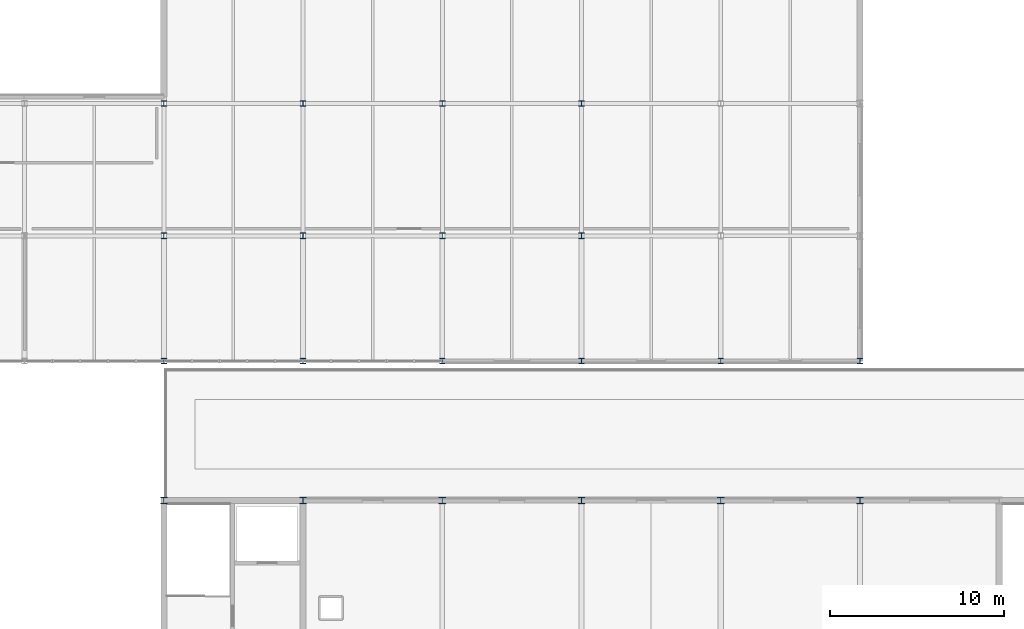
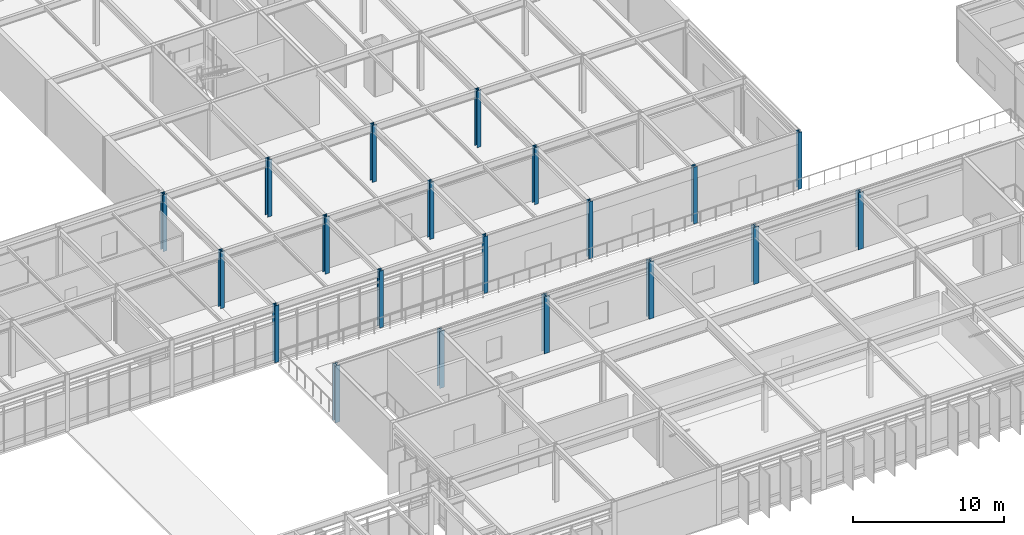
# One storey, part 9 of 100: 20 columns.
"""IFC4 building model written with IfcOpenShell, lengths in metres."""

import ifcopenshell
import ifcopenshell.guid

model = None  # the IFC model being written
_history = None  # IfcOwnerHistory: only IFC2X3 demands one
_inside = {}  # id of a spatial element -> (the spatial element, [elements in it])
_under = {}  # id of a project, library or spatial element -> (it, [spatial elements below it])
_declared = {}  # id of a project -> (the project, [libraries it declares])
_typed = {}  # id of a type object -> (the type object, [elements of that type])
_made_of = {}  # id of a material, layer set ... -> (it, [elements and type objects made of it])


def new_model(schema):
    """Start an empty IFC model of exactly this schema.

    Asked for "IFC4X3", IfcOpenShell would pick the latest addendum, in which some entities
    have other attributes; the version numbers below select the first issue.
    IFC2X3 requires an IfcOwnerHistory on every rooted entity: one is made here for all.
    """
    global model, _history
    if schema == "IFC4X3":
        model = ifcopenshell.file(schema_version=(4, 3, 0, 0))
    else:
        model = ifcopenshell.file(schema=schema)
    _inside.clear()
    _under.clear()
    _declared.clear()
    _typed.clear()
    _made_of.clear()
    _history = None
    if model.schema == "IFC2X3":
        org = make("IfcOrganization", Name="unknown")
        user = make(
            "IfcPersonAndOrganization",
            ThePerson=make("IfcPerson", FamilyName="unknown"),
            TheOrganization=org,
        )
        app = make(
            "IfcApplication",
            ApplicationDeveloper=org,
            Version="unknown",
            ApplicationFullName="unknown",
            ApplicationIdentifier="unknown",
        )
        _history = make(
            "IfcOwnerHistory",
            OwningUser=user,
            OwningApplication=app,
            ChangeAction="ADDED",
            CreationDate=0,
        )
    return model


def make(cls, **values):
    """One entity of the class cls with the attributes given. An attribute that is None is left unset."""
    return model.create_entity(
        cls, **{name: value for name, value in values.items() if value is not None}
    )


def rooted(cls, **values):
    """An entity with a GlobalId (a new one), such as an element, a storey or a relation."""
    return make(cls, GlobalId=ifcopenshell.guid.new(), OwnerHistory=_history, **values)


def si_unit(unit_type, name, prefix=None):
    """IfcSIUnit, for example si_unit("LENGTHUNIT", "METRE", prefix="MILLI")."""
    return make("IfcSIUnit", UnitType=unit_type, Prefix=prefix, Name=name)


def assignment(units):
    """IfcUnitAssignment: the units of a project."""
    return None if units is None else make("IfcUnitAssignment", Units=units)


def point(xyz):
    """IfcCartesianPoint."""
    return None if xyz is None else make("IfcCartesianPoint", Coordinates=xyz)


def direction(xyz):
    """IfcDirection."""
    return None if xyz is None else make("IfcDirection", DirectionRatios=xyz)


def frame(location, z_axis=None, x_axis=None):
    """IfcAxis2Placement3D, a coordinate frame: its origin and axes. An axis left out is left unset."""
    return make(
        "IfcAxis2Placement3D",
        Location=point(location),
        Axis=direction(z_axis),
        RefDirection=direction(x_axis),
    )


def frame_2d(location, x_axis=None):
    """IfcAxis2Placement2D, a coordinate frame in the plane: its origin and x axis."""
    return make(
        "IfcAxis2Placement2D", Location=point(location), RefDirection=direction(x_axis)
    )


def origin():
    """The frame at (0, 0, 0) with its axes left unset."""
    return frame((0.0, 0.0, 0.0))


def origin_2d():
    """The frame at (0, 0) in the plane with its x axis left unset."""
    return frame_2d((0.0, 0.0))


def place(relative_to, where):
    """IfcLocalPlacement: puts the frame where relative to a parent placement (None: the world)."""
    return make(
        "IfcLocalPlacement", PlacementRelTo=relative_to, RelativePlacement=where
    )


def context(
    kind, dimensions, precision=None, world=None, true_north=None, identifier=None
):
    """IfcGeometricRepresentationContext, for example the 3D "Model" context."""
    return make(
        "IfcGeometricRepresentationContext",
        ContextIdentifier=identifier,
        ContextType=kind,
        CoordinateSpaceDimension=dimensions,
        Precision=precision,
        WorldCoordinateSystem=world,
        TrueNorth=true_north,
    )


def subcontext(parent, identifier, kind, view, scale=None):
    """IfcGeometricRepresentationSubContext, for example "Body" below "Model"."""
    return make(
        "IfcGeometricRepresentationSubContext",
        ContextIdentifier=identifier,
        ContextType=kind,
        ParentContext=parent,
        TargetScale=scale,
        TargetView=view,
    )


def project(units=None, contexts=None):
    """IfcProject with its units and contexts."""
    return rooted(
        "IfcProject",
        Name="project",
        RepresentationContexts=contexts,
        UnitsInContext=assignment(units),
    )


def spatial(cls, under=None, at=None, **own):
    """A site, building, storey or space (cls), placed at a placement, below another one or the project."""
    s = rooted(cls, ObjectPlacement=at, **own)
    if under is not None:
        _under.setdefault(under.id(), (under, []))[1].append(s)
    return s


def profile(cls, at=None, kind="AREA", **sizes):
    """A parametric profile (cls). Its sizes go by their IFC names, for example OverallWidth=200.0."""
    return make(cls, ProfileType=kind, Position=at, **sizes)


def i_section(**sizes):
    """IfcIShapeProfileDef."""
    return profile("IfcIShapeProfileDef", **sizes)


def extrude(swept, where, along, depth):
    """IfcExtrudedAreaSolid: the profile swept, set in the frame where, extruded along a direction by depth."""
    return make(
        "IfcExtrudedAreaSolid",
        SweptArea=swept,
        Position=where,
        ExtrudedDirection=direction(along),
        Depth=depth,
    )


def shape(context_of_items, identifier, shape_type, items):
    """IfcShapeRepresentation: the items that make up one representation, for example the "Body"."""
    return make(
        "IfcShapeRepresentation",
        ContextOfItems=context_of_items,
        RepresentationIdentifier=identifier,
        RepresentationType=shape_type,
        Items=items,
    )


def material(Name=None, Category=None):
    """IfcMaterial."""
    return make("IfcMaterial", Name=Name, Category=Category)


def material_profile(
    of_material, cross_section, Name=None, Category=None, Priority=None
):
    """IfcMaterialProfile: a cross section and its material."""
    return make(
        "IfcMaterialProfile",
        Name=Name,
        Material=of_material,
        Profile=cross_section,
        Priority=Priority,
        Category=Category,
    )


def profile_set(profiles, Name=None, composite=None):
    """IfcMaterialProfileSet."""
    return make(
        "IfcMaterialProfileSet",
        Name=Name,
        MaterialProfiles=profiles,
        CompositeProfile=composite,
    )


def made_of(thing, what):
    """Note that an element or type object is made of a material, layer set ...; save() writes the relation."""
    if what is not None:
        _made_of.setdefault(what.id(), (what, []))[1].append(thing)
    return thing


def type_object(cls, material=None, **own):
    """A type object (cls), such as IfcWallType, which elements share."""
    return made_of(rooted(cls, **own), material)


def element(
    cls,
    number,
    at=None,
    inside=None,
    cuts=None,
    type_object=None,
    material=None,
    context=None,
    identifier="Body",
    shape_type=None,
    held_by="IfcProductDefinitionShape",
    body=None,
    shapes=None,
    **own,
):
    """One element of the class cls, such as IfcWall. Its Tag is "e" and its number.

    at: its placement. inside: the storey or other place that contains it. cuts: it is an
    opening in that element (IfcRelVoidsElement). A single representation is given by context,
    identifier, shape_type and body (its items); several are given by shapes. held_by: the class
    of the entity that holds the representations. save() writes the other relations.
    """
    e = rooted(cls, Tag="e%d" % number, ObjectPlacement=at, **own)
    if body is not None:
        shapes = [shape(context, identifier, shape_type, body)]
    if shapes is not None:
        e.Representation = make(held_by, Representations=shapes)
    if inside is not None:
        _inside.setdefault(inside.id(), (inside, []))[1].append(e)
    if cuts is not None:
        rooted(
            "IfcRelVoidsElement", RelatingBuildingElement=cuts, RelatedOpeningElement=e
        )
    if type_object is not None:
        _typed.setdefault(type_object.id(), (type_object, []))[1].append(e)
    return made_of(e, material)


def aggregate(whole, parts):
    """IfcRelAggregates: a whole, such as a stair, and the parts it consists of."""
    return rooted("IfcRelAggregates", RelatingObject=whole, RelatedObjects=parts)


def save(model, path):
    """Write the relations noted so far, then the file.

    IfcRelAggregates (storeys below a building ...), IfcRelContainedInSpatialStructure (elements
    in a storey), IfcRelDefinesByType, IfcRelAssociatesMaterial and IfcRelDeclares: one each for
    every whole, place, type object, material and project.
    """
    for whole, parts in _under.values():
        aggregate(whole, parts)
    for where, things in _inside.values():
        rooted(
            "IfcRelContainedInSpatialStructure",
            RelatedElements=things,
            RelatingStructure=where,
        )
    for kind, things in _typed.values():
        rooted("IfcRelDefinesByType", RelatedObjects=things, RelatingType=kind)
    for what, things in _made_of.values():
        rooted("IfcRelAssociatesMaterial", RelatedObjects=things, RelatingMaterial=what)
    for by, libraries in _declared.values():
        rooted("IfcRelDeclares", RelatingContext=by, RelatedDefinitions=libraries)
    model.write(path)


model = new_model("IFC4")

# Units and contexts
model_context = context("Model", 3, precision=1e-05, world=origin(), true_north=direction((0.0, 1.0)))
body_context = subcontext(model_context, "Body", "Model", "MODEL_VIEW")
ifc_project = project(units=[si_unit("LENGTHUNIT", "METRE"), si_unit("AREAUNIT", "SQUARE_METRE"), si_unit("VOLUMEUNIT", "CUBIC_METRE"), si_unit("PLANEANGLEUNIT", "RADIAN"), si_unit("MASSUNIT", "GRAM", prefix="KILO")], contexts=[model_context])

# Site, building, storey
site_placement = place(None, origin())
site = spatial("IfcSite", under=ifc_project, at=site_placement, CompositionType="ELEMENT")
building_placement = place(site_placement, origin())
building = spatial("IfcBuilding", under=site, at=building_placement, Name="Zulena Civic Courthouse", CompositionType="ELEMENT")
storey_placement = place(building_placement, frame((0.0, 0.0, 20.39990234375)))
storey = spatial("IfcBuildingStorey", under=building, at=storey_placement, Name="L04", CompositionType="ELEMENT", Elevation=20.39990234375)

# Columns
ifc_material = material(Name="Steel ASTM A992 Grade 50", Category="steel")
ifc_material_profile_1 = material_profile(ifc_material, i_section(OverallWidth=0.31298828125, OverallDepth=0.3330078125, WebThickness=0.01806640625, FlangeThickness=0.0283203125, FilletRadius=0.01513671875, at=origin_2d()), Name="W12X120")
ifc_profile_set_1 = profile_set([ifc_material_profile_1], Name="Steel ASTM A992 Grade 50")
column_type_1 = type_object("IfcColumnType", Name="Col_W12X120", PredefinedType="COLUMN", material=ifc_profile_set_1)
for number, where, z_axis, x_axis, name in (
    (1, (68.0, 53.199951171875, 0.0), (0.0, 0.0, 1.0), (1.0, 0.0, 0.0), "col:V5:L04:68.0:53.2"),
    (2, (68.0, 60.800048828125, 0.0), (0.0, 0.0, 1.0), (1.0, 0.0, 0.0), "col:V5:L04:68.0:60.8"),
    (3, (76.0, 53.199951171875, 0.0), (0.0, 0.0, 1.0), (1.0, 0.0, 0.0), "col:V5:L04:76.0:53.2"),
    (4, (76.0, 60.800048828125, 0.0), (0.0, 0.0, 1.0), (1.0, 0.0, 0.0), "col:V5:L04:76.0:60.8"),
    (5, (84.0, 53.199951171875, 0.0), (0.0, 0.0, 1.0), (1.0, 0.0, 0.0), "col:V5:L04:84.0:53.2"),
    (6, (84.0, 60.800048828125, 0.0), (0.0, 0.0, 1.0), (1.0, 0.0, 0.0), "col:V5:L04:84.0:60.8"),
    (7, (92.0, 53.199951171875, 0.0), (0.0, 0.0, 1.0), (1.0, 0.0, 0.0), "col:V5:L04:92.0:53.2"),
    (8, (92.0, 60.800048828125, 0.0), (0.0, 0.0, 1.0), (1.0, 0.0, 0.0), "col:V5:L04:92.0:60.8"),
):
    element("IfcColumn", number, at=place(storey_placement, frame(where, z_axis=z_axis, x_axis=x_axis)), inside=storey, type_object=column_type_1, Name=name, PredefinedType="COLUMN", context=body_context, shape_type="SweptSolid", body=[
        extrude(i_section(OverallWidth=0.31298828125, OverallDepth=0.3330078125, WebThickness=0.01806640625, FlangeThickness=0.0283203125, FilletRadius=0.01513671875, at=origin_2d()), origin(), (0.0, 0.0, 1.0), 4.59521484375),
    ])
ifc_material_profile_2 = material_profile(ifc_material, i_section(OverallWidth=0.30908203125, OverallDepth=0.322998046875, WebThickness=0.013916015625, FlangeThickness=0.02294921875, FilletRadius=0.01513671875, at=origin_2d()), Name="W12X96")
ifc_profile_set_2 = profile_set([ifc_material_profile_2], Name="Steel ASTM A992 Grade 50")
column_type_2 = type_object("IfcColumnType", Name="Col_W12X96", PredefinedType="COLUMN", material=ifc_profile_set_2)
for number, where, z_axis, x_axis, name in (
    (9, (68.0, 46.0, 0.0), (0.0, 0.0, 1.0), (1.0, 0.0, 0.0), "col:V5:L04:68.0:46.0"),
    (10, (76.0, 46.0, 0.0), (0.0, 0.0, 1.0), (1.0, 0.0, 0.0), "col:V5:L04:76.0:46.0"),
    (11, (84.0, 46.0, 0.0), (0.0, 0.0, 1.0), (1.0, 0.0, 0.0), "col:V5:L04:84.0:46.0"),
    (12, (92.0, 46.0, 0.0), (0.0, 0.0, 1.0), (1.0, 0.0, 0.0), "col:V5:L04:92.0:46.0"),
    (13, (100.0, 46.0, 0.0), (0.0, 0.0, 1.0), (1.0, 0.0, 0.0), "col:V5:L04:100.0:46.0"),
    (14, (108.0, 46.0, 0.0), (0.0, 0.0, 1.0), (1.0, 0.0, 0.0), "col:V5:L04:108.0:46.0"),
):
    element("IfcColumn", number, at=place(storey_placement, frame(where, z_axis=z_axis, x_axis=x_axis)), inside=storey, type_object=column_type_2, Name=name, PredefinedType="COLUMN", context=body_context, shape_type="SweptSolid", body=[
        extrude(i_section(OverallWidth=0.30908203125, OverallDepth=0.322998046875, WebThickness=0.013916015625, FlangeThickness=0.02294921875, FilletRadius=0.01513671875, at=origin_2d()), origin(), (0.0, 0.0, 1.0), 4.59521484375),
    ])
ifc_material_profile_3 = material_profile(ifc_material, i_section(OverallWidth=0.373046875, OverallDepth=0.367919921875, WebThickness=0.014892578125, FlangeThickness=0.02392578125, FilletRadius=0.01513671875, at=origin_2d()), Name="W14X120")
ifc_profile_set_3 = profile_set([ifc_material_profile_3], Name="Steel ASTM A992 Grade 50")
column_type_3 = type_object("IfcColumnType", Name="Col_W14X120", PredefinedType="COLUMN", material=ifc_profile_set_3)
for number, where, z_axis, x_axis, name in (
    (15, (68.0, 38.0, 0.0), (0.0, 0.0, 1.0), (1.0, 0.0, 0.0), "col:V4:L04:68.0:38.0"),
    (16, (76.0, 38.0, 0.0), (0.0, 0.0, 1.0), (1.0, 0.0, 0.0), "col:V4:L04:76.0:38.0"),
):
    element("IfcColumn", number, at=place(storey_placement, frame(where, z_axis=z_axis, x_axis=x_axis)), inside=storey, type_object=column_type_3, Name=name, PredefinedType="COLUMN", context=body_context, shape_type="SweptSolid", body=[
        extrude(i_section(OverallWidth=0.373046875, OverallDepth=0.367919921875, WebThickness=0.014892578125, FlangeThickness=0.02392578125, FilletRadius=0.01513671875, at=origin_2d()), origin(), (0.0, 0.0, 1.0), 4.59521484375),
    ])
ifc_material_profile_4 = material_profile(ifc_material, i_section(OverallWidth=0.39404296875, OverallDepth=0.3759765625, WebThickness=0.017333984375, FlangeThickness=0.027587890625, FilletRadius=0.01513671875, at=origin_2d()), Name="W14X145")
ifc_profile_set_4 = profile_set([ifc_material_profile_4], Name="Steel ASTM A992 Grade 50")
column_type_4 = type_object("IfcColumnType", Name="Col_W14X145", PredefinedType="COLUMN", material=ifc_profile_set_4)
for number, where, z_axis, x_axis, name in (
    (17, (84.0, 38.0, 0.0), (0.0, 0.0, 1.0), (1.0, 0.0, 0.0), "col:V4:L04:84.0:38.0"),
    (18, (92.0, 38.0, 0.0), (0.0, 0.0, 1.0), (1.0, 0.0, 0.0), "col:V4:L04:92.0:38.0"),
    (19, (100.0, 38.0, 0.0), (0.0, 0.0, 1.0), (1.0, 0.0, 0.0), "col:V4:L04:100.0:38.0"),
    (20, (108.0, 38.0, 0.0), (0.0, 0.0, 1.0), (1.0, 0.0, 0.0), "col:V4:L04:108.0:38.0"),
):
    element("IfcColumn", number, at=place(storey_placement, frame(where, z_axis=z_axis, x_axis=x_axis)), inside=storey, type_object=column_type_4, Name=name, PredefinedType="COLUMN", context=body_context, shape_type="SweptSolid", body=[
        extrude(i_section(OverallWidth=0.39404296875, OverallDepth=0.3759765625, WebThickness=0.017333984375, FlangeThickness=0.027587890625, FilletRadius=0.01513671875, at=origin_2d()), origin(), (0.0, 0.0, 1.0), 4.59521484375),
    ])

save(model, "model.ifc")
